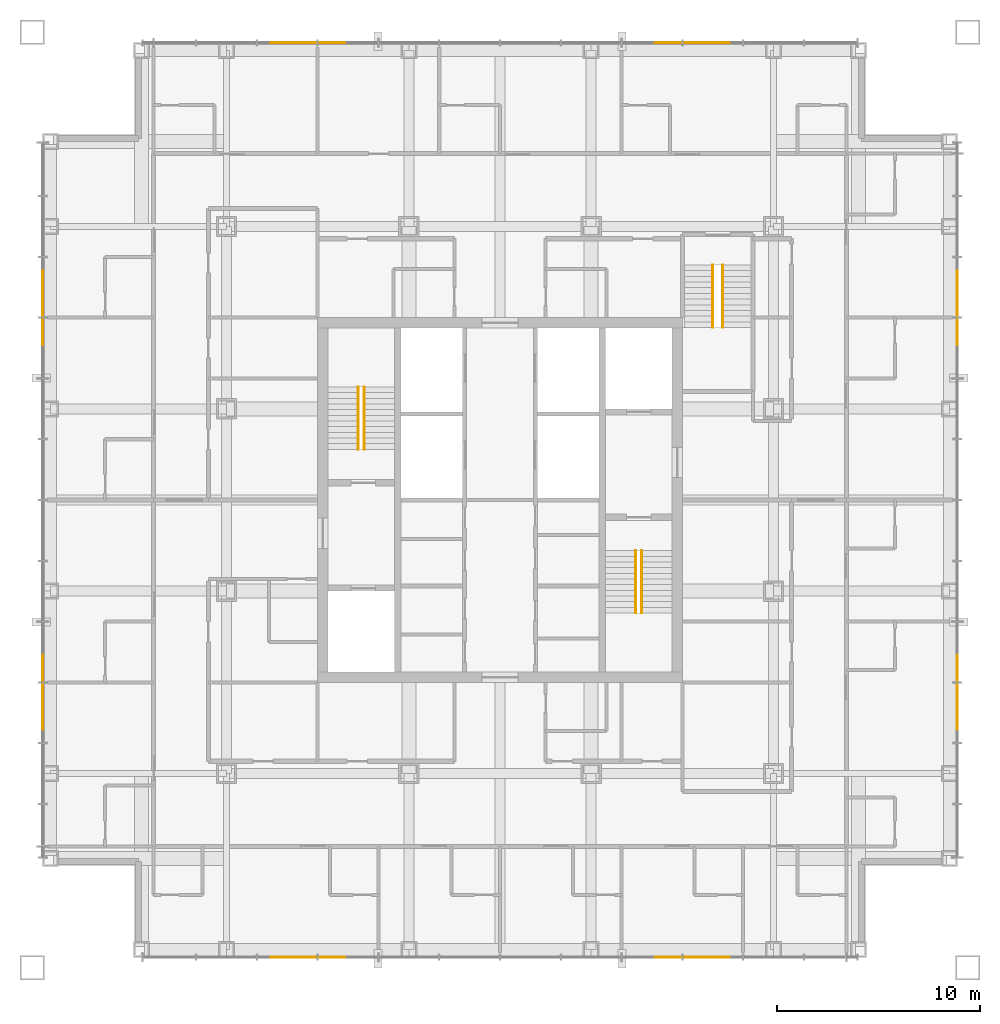
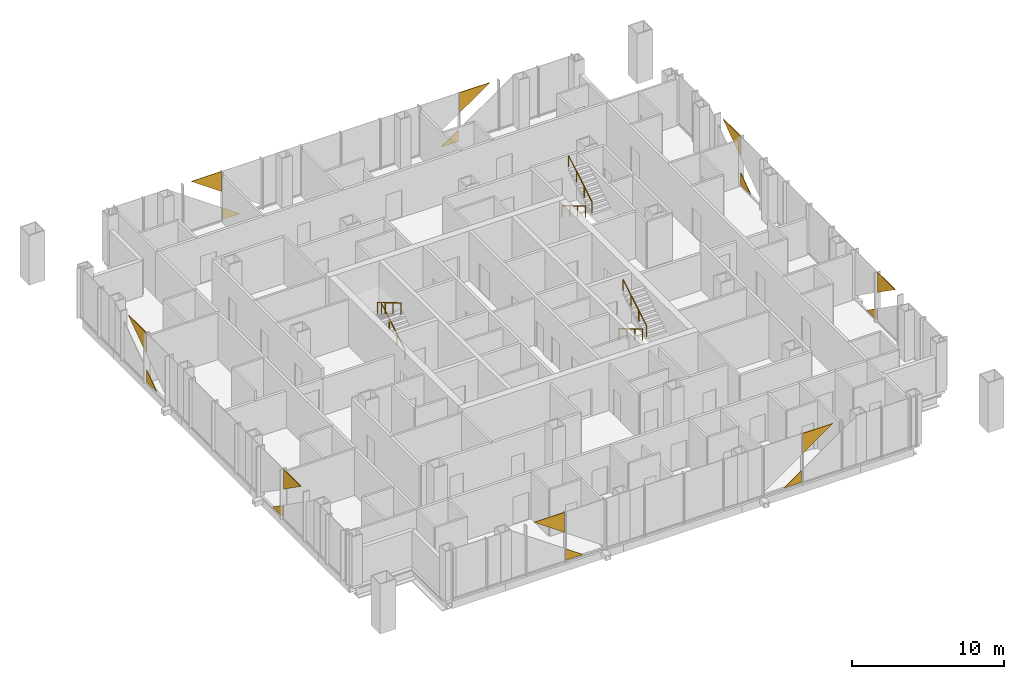
# One storey, part 16 of 16: 16 coverings, 6 railings.
"""IFC4 building model written with IfcOpenShell, lengths in metres."""

from ifc_helpers import new_model, si_unit, direction, frame, origin, origin_2d, place, context, subcontext, project, spatial, polyline, circle, outline, extrude, material, layer, layer_set, type_object, element, save


model = new_model("IFC4")

# Units and contexts
model_context = context("Model", 3, precision=1e-05, world=origin(), true_north=direction((0.0, 1.0)))
body_context = subcontext(model_context, "Body", "Model", "MODEL_VIEW")
ifc_project = project(units=[si_unit("LENGTHUNIT", "METRE"), si_unit("AREAUNIT", "SQUARE_METRE"), si_unit("VOLUMEUNIT", "CUBIC_METRE"), si_unit("PLANEANGLEUNIT", "RADIAN"), si_unit("MASSUNIT", "GRAM", prefix="KILO")], contexts=[model_context])

# Site, building, storey
site_placement = place(None, origin())
site = spatial("IfcSite", under=ifc_project, at=site_placement, CompositionType="ELEMENT")
building_placement = place(site_placement, origin())
building = spatial("IfcBuilding", under=site, at=building_placement, Name="Malebo Sky Hospital", CompositionType="ELEMENT")
storey_placement = place(building_placement, frame((0.0, 0.0, 197.0)))
storey = spatial("IfcBuildingStorey", under=building, at=storey_placement, Name="L47", CompositionType="ELEMENT", Elevation=197.0)

# Coverings
ifc_material_1 = material(Name="Anodised aluminium, natural silver insulated infill panel", Category="aluminium")
ifc_layer = layer(ifc_material_1, 0.0400390625)
ifc_layer_set = layer_set([ifc_layer], Name="BRACE INFILL PANEL 40")
covering_type = type_object("IfcCoveringType", Name="BRACE INFILL PANEL 40", PredefinedType="CLADDING", material=ifc_layer_set)
covering_1_placement = place(storey_placement, frame((49.8056640625, 84.574951171875, 2.364990234375), z_axis=(0.0, 0.0, 1.0), x_axis=(1.0, 0.0, 0.0)))
element("IfcCovering", 1, at=covering_1_placement, inside=storey, type_object=covering_type, Name="Brace infill panel 4.1", PredefinedType="CLADDING", context=body_context, shape_type="SweptSolid", body=[
    extrude(outline(polyline([(1.15673828125, 0.0), (1.15673828125, 1.625), (-1.15673828125, 1.625), (1.15673828125, 0.0)])), frame((0.0, 0.02001953125, 0.0), z_axis=(0.0, -1.0, 0.0), x_axis=(1.0, 0.0, 0.0)), (0.0, 0.0, 1.0), 0.0400390625),
])
covering_2_placement = place(storey_placement, frame((51.697998046875, 84.574951171875, 0.10009765625), z_axis=(0.0, 0.0, 1.0), x_axis=(1.0, 0.0, 0.0)))
element("IfcCovering", 2, at=covering_2_placement, inside=storey, type_object=covering_type, Name="Brace infill panel 5.1", PredefinedType="CLADDING", context=body_context, shape_type="SweptSolid", body=[
    extrude(outline(polyline([(-0.66064453125, 0.0), (0.660400390625, 0.0), (-0.66064453125, 0.927978515625), (-0.66064453125, 0.0)])), frame((0.0, 0.02001953125, 0.0), z_axis=(0.0, -1.0, 0.0), x_axis=(1.0, 0.0, 0.0)), (0.0, 0.0, 1.0), 0.0400390625),
])
covering_3_placement = place(storey_placement, frame((68.302001953125, 84.574951171875, 0.10009765625), z_axis=(0.0, 0.0, 1.0), x_axis=(1.0, 0.0, 0.0)))
element("IfcCovering", 3, at=covering_3_placement, inside=storey, type_object=covering_type, Name="Brace infill panel 10.1", PredefinedType="CLADDING", context=body_context, shape_type="SweptSolid", body=[
    extrude(outline(polyline([(-0.660400390625, 0.0), (0.66064453125, 0.0), (0.66064453125, 0.927978515625), (-0.660400390625, 0.0)])), frame((0.0, 0.02001953125, 0.0), z_axis=(0.0, -1.0, 0.0), x_axis=(1.0, 0.0, 0.0)), (0.0, 0.0, 1.0), 0.0400390625),
])
covering_4_placement = place(storey_placement, frame((70.1943359375, 84.574951171875, 2.364990234375), z_axis=(0.0, 0.0, 1.0), x_axis=(1.0, 0.0, 0.0)))
element("IfcCovering", 4, at=covering_4_placement, inside=storey, type_object=covering_type, Name="Brace infill panel 11.1", PredefinedType="CLADDING", context=body_context, shape_type="SweptSolid", body=[
    extrude(outline(polyline([(-1.15673828125, 0.0), (1.15673828125, 1.625), (-1.15673828125, 1.625), (-1.15673828125, 0.0)])), frame((0.0, 0.02001953125, 0.0), z_axis=(0.0, -1.0, 0.0), x_axis=(1.0, 0.0, 0.0)), (0.0, 0.0, 1.0), 0.0400390625),
])
covering_5_placement = place(storey_placement, frame((37.425048828125, 51.8056640625, 2.364990234375), z_axis=(0.0, 0.0, 1.0), x_axis=(0.0, 1.0, 0.0)))
element("IfcCovering", 5, at=covering_5_placement, inside=storey, type_object=covering_type, Name="Brace infill panel 4.1", PredefinedType="CLADDING", context=body_context, shape_type="SweptSolid", body=[
    extrude(outline(polyline([(1.15673828125, 0.0), (1.15673828125, 1.625), (-1.15673828125, 1.625), (1.15673828125, 0.0)])), frame((0.0, 0.02001953125, 0.0), z_axis=(0.0, -1.0, 0.0), x_axis=(1.0, 0.0, 0.0)), (0.0, 0.0, 1.0), 0.0400390625),
])
covering_6_placement = place(storey_placement, frame((37.425048828125, 53.697998046875, 0.10009765625), z_axis=(0.0, 0.0, 1.0), x_axis=(0.0, 1.0, 0.0)))
element("IfcCovering", 6, at=covering_6_placement, inside=storey, type_object=covering_type, Name="Brace infill panel 5.1", PredefinedType="CLADDING", context=body_context, shape_type="SweptSolid", body=[
    extrude(outline(polyline([(-0.66064453125, 0.0), (0.660400390625, 0.0), (-0.66064453125, 0.927978515625), (-0.66064453125, 0.0)])), frame((0.0, 0.02001953125, 0.0), z_axis=(0.0, -1.0, 0.0), x_axis=(1.0, 0.0, 0.0)), (0.0, 0.0, 1.0), 0.0400390625),
])
covering_7_placement = place(storey_placement, frame((37.425048828125, 70.302001953125, 0.10009765625), z_axis=(0.0, 0.0, 1.0), x_axis=(0.0, 1.0, 0.0)))
element("IfcCovering", 7, at=covering_7_placement, inside=storey, type_object=covering_type, Name="Brace infill panel 10.1", PredefinedType="CLADDING", context=body_context, shape_type="SweptSolid", body=[
    extrude(outline(polyline([(-0.660400390625, 0.0), (0.66064453125, 0.0), (0.66064453125, 0.927978515625), (-0.660400390625, 0.0)])), frame((0.0, 0.02001953125, 0.0), z_axis=(0.0, -1.0, 0.0), x_axis=(1.0, 0.0, 0.0)), (0.0, 0.0, 1.0), 0.0400390625),
])
covering_8_placement = place(storey_placement, frame((37.425048828125, 72.1943359375, 2.364990234375), z_axis=(0.0, 0.0, 1.0), x_axis=(0.0, 1.0, 0.0)))
element("IfcCovering", 8, at=covering_8_placement, inside=storey, type_object=covering_type, Name="Brace infill panel 11.1", PredefinedType="CLADDING", context=body_context, shape_type="SweptSolid", body=[
    extrude(outline(polyline([(-1.15673828125, 0.0), (1.15673828125, 1.625), (-1.15673828125, 1.625), (-1.15673828125, 0.0)])), frame((0.0, 0.02001953125, 0.0), z_axis=(0.0, -1.0, 0.0), x_axis=(1.0, 0.0, 0.0)), (0.0, 0.0, 1.0), 0.0400390625),
])
covering_9_placement = place(storey_placement, frame((70.1943359375, 39.425048828125, 2.364990234375), z_axis=(0.0, 0.0, 1.0), x_axis=(-1.0, 0.0, 0.0)))
element("IfcCovering", 9, at=covering_9_placement, inside=storey, type_object=covering_type, Name="Brace infill panel 4.1", PredefinedType="CLADDING", context=body_context, shape_type="SweptSolid", body=[
    extrude(outline(polyline([(1.15673828125, 0.0), (1.15673828125, 1.625), (-1.15673828125, 1.625), (1.15673828125, 0.0)])), frame((0.0, 0.02001953125, 0.0), z_axis=(0.0, -1.0, 0.0), x_axis=(1.0, 0.0, 0.0)), (0.0, 0.0, 1.0), 0.0400390625),
])
covering_10_placement = place(storey_placement, frame((68.302001953125, 39.425048828125, 0.10009765625), z_axis=(0.0, 0.0, 1.0), x_axis=(-1.0, 0.0, 0.0)))
element("IfcCovering", 10, at=covering_10_placement, inside=storey, type_object=covering_type, Name="Brace infill panel 5.1", PredefinedType="CLADDING", context=body_context, shape_type="SweptSolid", body=[
    extrude(outline(polyline([(-0.66064453125, 0.0), (0.660400390625, 0.0), (-0.66064453125, 0.927978515625), (-0.66064453125, 0.0)])), frame((0.0, 0.02001953125, 0.0), z_axis=(0.0, -1.0, 0.0), x_axis=(1.0, 0.0, 0.0)), (0.0, 0.0, 1.0), 0.0400390625),
])
covering_11_placement = place(storey_placement, frame((51.697998046875, 39.425048828125, 0.10009765625), z_axis=(0.0, 0.0, 1.0), x_axis=(-1.0, 0.0, 0.0)))
element("IfcCovering", 11, at=covering_11_placement, inside=storey, type_object=covering_type, Name="Brace infill panel 10.1", PredefinedType="CLADDING", context=body_context, shape_type="SweptSolid", body=[
    extrude(outline(polyline([(-0.660400390625, 0.0), (0.66064453125, 0.0), (0.66064453125, 0.927978515625), (-0.660400390625, 0.0)])), frame((0.0, 0.02001953125, 0.0), z_axis=(0.0, -1.0, 0.0), x_axis=(1.0, 0.0, 0.0)), (0.0, 0.0, 1.0), 0.0400390625),
])
covering_12_placement = place(storey_placement, frame((49.8056640625, 39.425048828125, 2.364990234375), z_axis=(0.0, 0.0, 1.0), x_axis=(-1.0, 0.0, 0.0)))
element("IfcCovering", 12, at=covering_12_placement, inside=storey, type_object=covering_type, Name="Brace infill panel 11.1", PredefinedType="CLADDING", context=body_context, shape_type="SweptSolid", body=[
    extrude(outline(polyline([(-1.15673828125, 0.0), (1.15673828125, 1.625), (-1.15673828125, 1.625), (-1.15673828125, 0.0)])), frame((0.0, 0.02001953125, 0.0), z_axis=(0.0, -1.0, 0.0), x_axis=(1.0, 0.0, 0.0)), (0.0, 0.0, 1.0), 0.0400390625),
])
covering_13_placement = place(storey_placement, frame((82.574951171875, 72.1943359375, 2.364990234375), z_axis=(0.0, 0.0, 1.0), x_axis=(0.0, -1.0, 0.0)))
element("IfcCovering", 13, at=covering_13_placement, inside=storey, type_object=covering_type, Name="Brace infill panel 4.1", PredefinedType="CLADDING", context=body_context, shape_type="SweptSolid", body=[
    extrude(outline(polyline([(1.15673828125, 0.0), (1.15673828125, 1.625), (-1.15673828125, 1.625), (1.15673828125, 0.0)])), frame((0.0, 0.02001953125, 0.0), z_axis=(0.0, -1.0, 0.0), x_axis=(1.0, 0.0, 0.0)), (0.0, 0.0, 1.0), 0.0400390625),
])
covering_14_placement = place(storey_placement, frame((82.574951171875, 70.302001953125, 0.10009765625), z_axis=(0.0, 0.0, 1.0), x_axis=(0.0, -1.0, 0.0)))
element("IfcCovering", 14, at=covering_14_placement, inside=storey, type_object=covering_type, Name="Brace infill panel 5.1", PredefinedType="CLADDING", context=body_context, shape_type="SweptSolid", body=[
    extrude(outline(polyline([(-0.66064453125, 0.0), (0.660400390625, 0.0), (-0.66064453125, 0.927978515625), (-0.66064453125, 0.0)])), frame((0.0, 0.02001953125, 0.0), z_axis=(0.0, -1.0, 0.0), x_axis=(1.0, 0.0, 0.0)), (0.0, 0.0, 1.0), 0.0400390625),
])
covering_15_placement = place(storey_placement, frame((82.574951171875, 53.697998046875, 0.10009765625), z_axis=(0.0, 0.0, 1.0), x_axis=(0.0, -1.0, 0.0)))
element("IfcCovering", 15, at=covering_15_placement, inside=storey, type_object=covering_type, Name="Brace infill panel 10.1", PredefinedType="CLADDING", context=body_context, shape_type="SweptSolid", body=[
    extrude(outline(polyline([(-0.660400390625, 0.0), (0.66064453125, 0.0), (0.66064453125, 0.927978515625), (-0.660400390625, 0.0)])), frame((0.0, 0.02001953125, 0.0), z_axis=(0.0, -1.0, 0.0), x_axis=(1.0, 0.0, 0.0)), (0.0, 0.0, 1.0), 0.0400390625),
])
covering_16_placement = place(storey_placement, frame((82.574951171875, 51.8056640625, 2.364990234375), z_axis=(0.0, 0.0, 1.0), x_axis=(0.0, -1.0, 0.0)))
element("IfcCovering", 16, at=covering_16_placement, inside=storey, type_object=covering_type, Name="Brace infill panel 11.1", PredefinedType="CLADDING", context=body_context, shape_type="SweptSolid", body=[
    extrude(outline(polyline([(-1.15673828125, 0.0), (1.15673828125, 1.625), (-1.15673828125, 1.625), (-1.15673828125, 0.0)])), frame((0.0, 0.02001953125, 0.0), z_axis=(0.0, -1.0, 0.0), x_axis=(1.0, 0.0, 0.0)), (0.0, 0.0, 1.0), 0.0400390625),
])

# Railings
ifc_material_2 = material(Name="Stainless steel tube", Category="steel")
railing_type = type_object("IfcRailingType", Name="STAIR HANDRAIL 900", PredefinedType="HANDRAIL", material=ifc_material_2)
railing_1_placement = place(storey_placement, frame((53.300048828125, 64.5, 0.166748046875)))
element("IfcRailing", 17, at=railing_1_placement, inside=storey, type_object=railing_type, Name="Stair handrail S1 flight 1", PredefinedType="HANDRAIL", context=body_context, shape_type="SweptSolid", body=[
    extrude(circle(Radius=0.02392578125, at=origin_2d()), frame((0.0, 0.0, 0.8759765625), z_axis=(0.0, 0.859308565015, 0.511457515432), x_axis=(-1.0, 0.0, 0.0)), (0.0, 0.0, 1.0), 3.58447265625),
    extrude(circle(Radius=0.02099609375, at=origin_2d()), origin(), (0.0, 0.0, 1.0), 0.851806640625),
    extrude(circle(Radius=0.02099609375, at=origin_2d()), frame((0.0, 1.026611328125, 0.611083984375)), (0.0, 0.0, 1.0), 0.851806640625),
    extrude(circle(Radius=0.02099609375, at=origin_2d()), frame((0.0, 2.053466796875, 1.22216796875)), (0.0, 0.0, 1.0), 0.851806640625),
    extrude(circle(Radius=0.02099609375, at=origin_2d()), frame((0.0, 3.080078125, 1.833251953125)), (0.0, 0.0, 1.0), 0.851806640625),
])
for number, where, name in (
    (18, (53.0, 67.580078125, 2.166748046875), "Stair handrail S1 flight 2"),
    (19, (66.699951171875, 59.5, 0.166748046875), "Stair handrail S2 flight 1"),
):
    element("IfcRailing", number, at=place(storey_placement, frame(where)), inside=storey, type_object=railing_type, Name=name, PredefinedType="HANDRAIL", context=body_context, shape_type="SweptSolid", body=[
        extrude(circle(Radius=0.02392578125, at=origin_2d()), frame((0.0, 0.0, 0.8759765625), z_axis=(0.0, -0.859308565015, 0.511457515432), x_axis=(1.0, 0.0, 0.0)), (0.0, 0.0, 1.0), 3.58447265625),
        extrude(circle(Radius=0.02099609375, at=origin_2d()), origin(), (0.0, 0.0, 1.0), 0.851806640625),
        extrude(circle(Radius=0.02099609375, at=origin_2d()), frame((0.0, -1.026611328125, 0.611083984375)), (0.0, 0.0, 1.0), 0.851806640625),
        extrude(circle(Radius=0.02099609375, at=origin_2d()), frame((0.0, -2.053466796875, 1.22216796875)), (0.0, 0.0, 1.0), 0.851806640625),
        extrude(circle(Radius=0.02099609375, at=origin_2d()), frame((0.0, -3.080078125, 1.833251953125)), (0.0, 0.0, 1.0), 0.851806640625),
    ])
railing_2_placement = place(storey_placement, frame((67.0, 56.419921875, 2.166748046875)))
element("IfcRailing", 20, at=railing_2_placement, inside=storey, type_object=railing_type, Name="Stair handrail S2 flight 2", PredefinedType="HANDRAIL", context=body_context, shape_type="SweptSolid", body=[
    extrude(circle(Radius=0.02392578125, at=origin_2d()), frame((0.0, 0.0, 0.8759765625), z_axis=(0.0, 0.859308565015, 0.511457515432), x_axis=(-1.0, 0.0, 0.0)), (0.0, 0.0, 1.0), 3.58447265625),
    extrude(circle(Radius=0.02099609375, at=origin_2d()), origin(), (0.0, 0.0, 1.0), 0.851806640625),
    extrude(circle(Radius=0.02099609375, at=origin_2d()), frame((0.0, 1.026611328125, 0.611083984375)), (0.0, 0.0, 1.0), 0.851806640625),
    extrude(circle(Radius=0.02099609375, at=origin_2d()), frame((0.0, 2.053466796875, 1.22216796875)), (0.0, 0.0, 1.0), 0.851806640625),
    extrude(circle(Radius=0.02099609375, at=origin_2d()), frame((0.0, 3.080078125, 1.833251953125)), (0.0, 0.0, 1.0), 0.851806640625),
])
railing_3_placement = place(storey_placement, frame((70.5, 73.60009765625, 0.166748046875)))
element("IfcRailing", 21, at=railing_3_placement, inside=storey, type_object=railing_type, Name="Stair handrail S3 flight 1", PredefinedType="HANDRAIL", context=body_context, shape_type="SweptSolid", body=[
    extrude(circle(Radius=0.02392578125, at=origin_2d()), frame((0.0, 0.0, 0.8759765625), z_axis=(0.0, -0.859308565015, 0.511457515432), x_axis=(1.0, 0.0, 0.0)), (0.0, 0.0, 1.0), 3.58447265625),
    extrude(circle(Radius=0.02099609375, at=origin_2d()), origin(), (0.0, 0.0, 1.0), 0.851806640625),
    extrude(circle(Radius=0.02099609375, at=origin_2d()), frame((0.0, -1.026611328125, 0.611083984375)), (0.0, 0.0, 1.0), 0.851806640625),
    extrude(circle(Radius=0.02099609375, at=origin_2d()), frame((0.0, -2.053466796875, 1.22216796875)), (0.0, 0.0, 1.0), 0.851806640625),
    extrude(circle(Radius=0.02099609375, at=origin_2d()), frame((0.0, -3.080078125, 1.833251953125)), (0.0, 0.0, 1.0), 0.851806640625),
])
railing_4_placement = place(storey_placement, frame((71.0, 70.52001953125, 2.166748046875)))
element("IfcRailing", 22, at=railing_4_placement, inside=storey, type_object=railing_type, Name="Stair handrail S3 flight 2", PredefinedType="HANDRAIL", context=body_context, shape_type="SweptSolid", body=[
    extrude(circle(Radius=0.02392578125, at=origin_2d()), frame((0.0, 0.0, 0.8759765625), z_axis=(0.0, 0.859308565015, 0.511457515432), x_axis=(-1.0, 0.0, 0.0)), (0.0, 0.0, 1.0), 3.58447265625),
    extrude(circle(Radius=0.02099609375, at=origin_2d()), origin(), (0.0, 0.0, 1.0), 0.851806640625),
    extrude(circle(Radius=0.02099609375, at=origin_2d()), frame((0.0, 1.026611328125, 0.611083984375)), (0.0, 0.0, 1.0), 0.851806640625),
    extrude(circle(Radius=0.02099609375, at=origin_2d()), frame((0.0, 2.053466796875, 1.22216796875)), (0.0, 0.0, 1.0), 0.851806640625),
    extrude(circle(Radius=0.02099609375, at=origin_2d()), frame((0.0, 3.080078125, 1.833251953125)), (0.0, 0.0, 1.0), 0.851806640625),
])

save(model, "model.ifc")
